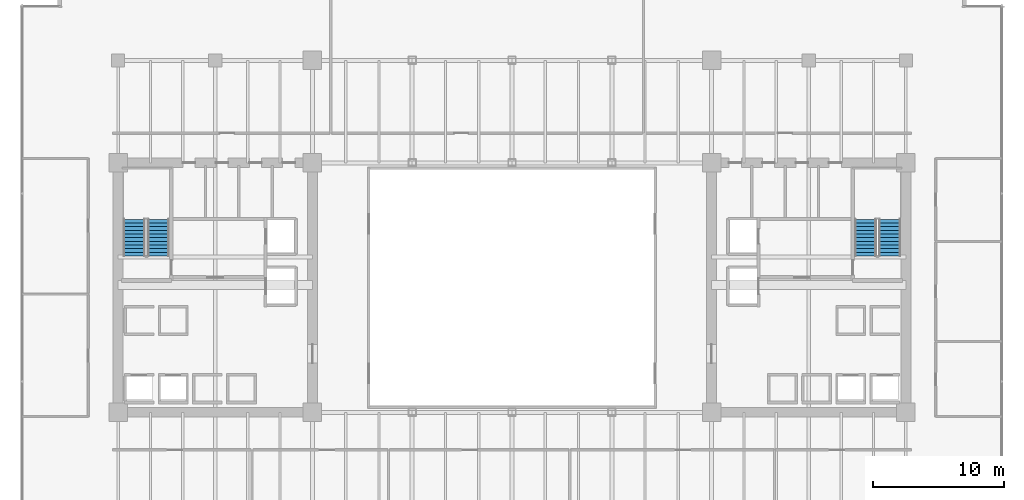
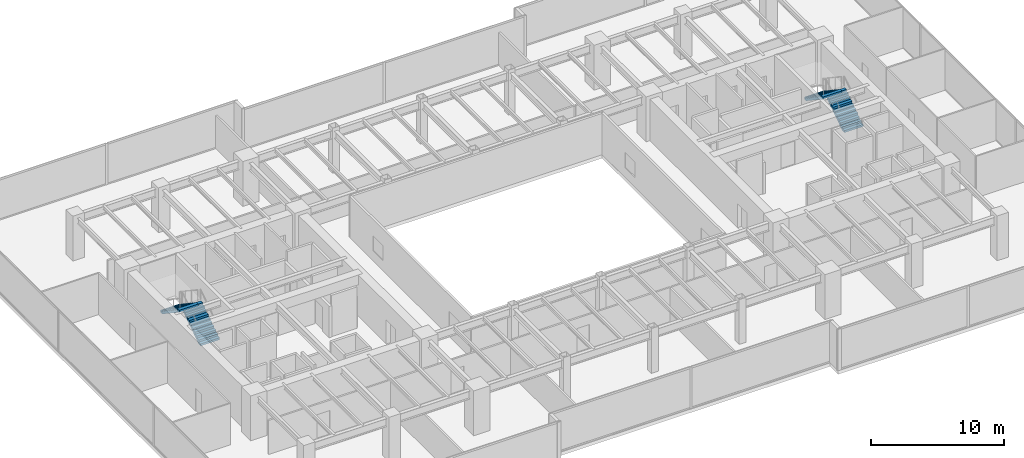
# One storey, part 33 of 35: 4 stair flights, 2 elements without a shape of their own.
"""IFC4 building model written with IfcOpenShell, lengths in metres."""

from ifc_helpers import new_model, si_unit, direction, frame, origin, place, context, subcontext, project, spatial, polyline, outline, extrude, source, transform, mapped, material, type_object, type_shapes, element, aggregate, save


model = new_model("IFC4")

# Units and contexts
model_context = context("Model", 3, precision=1e-05, world=origin(), true_north=direction((0.0, 1.0)))
body_context = subcontext(model_context, "Body", "Model", "MODEL_VIEW")
ifc_project = project(units=[si_unit("LENGTHUNIT", "METRE"), si_unit("AREAUNIT", "SQUARE_METRE"), si_unit("VOLUMEUNIT", "CUBIC_METRE"), si_unit("PLANEANGLEUNIT", "RADIAN"), si_unit("MASSUNIT", "GRAM", prefix="KILO")], contexts=[model_context])

# Site, building, storey
site_placement = place(None, origin())
site = spatial("IfcSite", under=ifc_project, at=site_placement, CompositionType="ELEMENT")
building_placement = place(site_placement, origin())
building = spatial("IfcBuilding", under=site, at=building_placement, Name="Haelvirn Gate Laboratories", CompositionType="ELEMENT")
storey_placement = place(building_placement, frame((0.0, 0.0, 82.60009765625)))
storey = spatial("IfcBuildingStorey", under=building, at=storey_placement, Name="L20", CompositionType="ELEMENT", Elevation=82.60009765625)

# Stair, stair flights
ifc_material = material(Name="Concrete C40/50", Category="concrete")
stair_type = type_object("IfcStairType", Name="ST-DOG-1650-R22", PredefinedType="HALF_TURN_STAIR", material=ifc_material)
stair_1_placement = place(storey_placement, origin())
stair_1 = element("IfcStair", 1, at=stair_1_placement, inside=storey, type_object=stair_type, Name="L20 Escape Stair ST1", PredefinedType="HALF_TURN_STAIR")
stair_flight_type = type_object("IfcStairFlightType", Name="STF-1650-R11", PredefinedType="STRAIGHT", material=ifc_material)
shared_shape = source(origin(), body_context, "Body", "SweptSolid", [
    extrude(outline(polyline([(0.0, 0.0), (0.0, 0.186279296875), (0.280029296875, 0.186279296875), (0.280029296875, 0.372802734375), (0.56005859375, 0.372802734375), (0.56005859375, 0.55908203125), (0.840087890625, 0.55908203125), (0.840087890625, 0.745361328125), (1.1201171875, 0.745361328125), (1.1201171875, 0.931884765625), (1.39990234375, 0.931884765625), (1.39990234375, 1.1181640625), (1.679931640625, 1.1181640625), (1.679931640625, 1.304443359375), (1.9599609375, 1.304443359375), (1.9599609375, 1.490966796875), (2.239990234375, 1.490966796875), (2.239990234375, 1.67724609375), (2.52001953125, 1.67724609375), (2.52001953125, 1.863525390625), (2.800048828125, 1.863525390625), (2.800048828125, 2.050048828125), (2.800048828125, 1.671630859375), (0.28857421875, 0.0), (0.0, 0.0)])), frame((0.0, 0.824951171875, 0.0), z_axis=(0.0, -1.0, 0.0), x_axis=(1.0, 0.0, 0.0)), (0.0, 0.0, 1.0), 1.64990234375),
])
type_shapes(stair_flight_type, [shared_shape])
stair_flight_1_placement = place(storey_placement, frame((10.47509765625, 26.699951171875, 0.0), z_axis=(0.0, 0.0, 1.0), x_axis=(0.0, 1.0, 0.0)))
stair_flight_1 = element("IfcStairFlight", 2, at=stair_flight_1_placement, type_object=stair_flight_type, Name="ST1 flight 1", NumberOfRisers=11, NumberOfTreads=10, PredefinedType="STRAIGHT", RiserHeight=0.186363636, TreadLength=0.28, context=body_context, shape_type="MappedRepresentation", body=[
    mapped(shared_shape, transform((0.0, 0.0, 0.0), scale=1.0)),
])
stair_flight_2_placement = place(storey_placement, frame((8.625, 29.5, 2.0498046875), z_axis=(0.0, 0.0, 1.0), x_axis=(0.0, -1.0, 0.0)))
stair_flight_2 = element("IfcStairFlight", 3, at=stair_flight_2_placement, type_object=stair_flight_type, Name="ST1 flight 2", NumberOfRisers=11, NumberOfTreads=10, PredefinedType="STRAIGHT", RiserHeight=0.186363636, TreadLength=0.28, context=body_context, shape_type="MappedRepresentation", body=[
    mapped(shared_shape, transform((0.0, 0.0, 0.0), scale=1.0)),
])
aggregate(stair_1, [stair_flight_1, stair_flight_2])

stair_2_placement = place(storey_placement, origin())
stair_2 = element("IfcStair", 4, at=stair_2_placement, inside=storey, type_object=stair_type, Name="L20 Escape Stair ST2", PredefinedType="HALF_TURN_STAIR")
stair_flight_3_placement = place(storey_placement, frame((66.175048828125, 26.699951171875, 0.0), z_axis=(0.0, 0.0, 1.0), x_axis=(0.0, 1.0, 0.0)))
stair_flight_3 = element("IfcStairFlight", 5, at=stair_flight_3_placement, type_object=stair_flight_type, Name="ST2 flight 1", NumberOfRisers=11, NumberOfTreads=10, PredefinedType="STRAIGHT", RiserHeight=0.186363636, TreadLength=0.28, context=body_context, shape_type="MappedRepresentation", body=[
    mapped(shared_shape, transform((0.0, 0.0, 0.0), scale=1.0)),
])
stair_flight_4_placement = place(storey_placement, frame((64.324951171875, 29.5, 2.0498046875), z_axis=(0.0, 0.0, 1.0), x_axis=(0.0, -1.0, 0.0)))
stair_flight_4 = element("IfcStairFlight", 6, at=stair_flight_4_placement, type_object=stair_flight_type, Name="ST2 flight 2", NumberOfRisers=11, NumberOfTreads=10, PredefinedType="STRAIGHT", RiserHeight=0.186363636, TreadLength=0.28, context=body_context, shape_type="MappedRepresentation", body=[
    mapped(shared_shape, transform((0.0, 0.0, 0.0), scale=1.0)),
])
aggregate(stair_2, [stair_flight_3, stair_flight_4])

save(model, "model.ifc")
